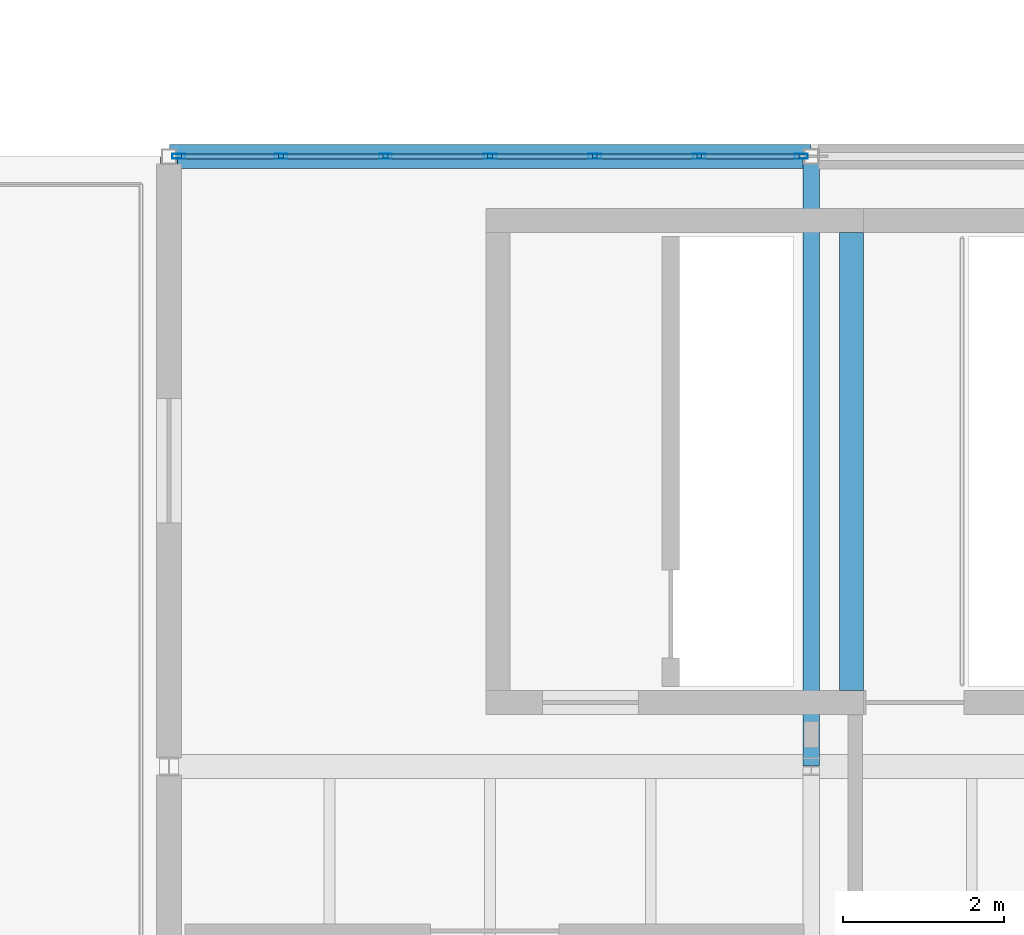
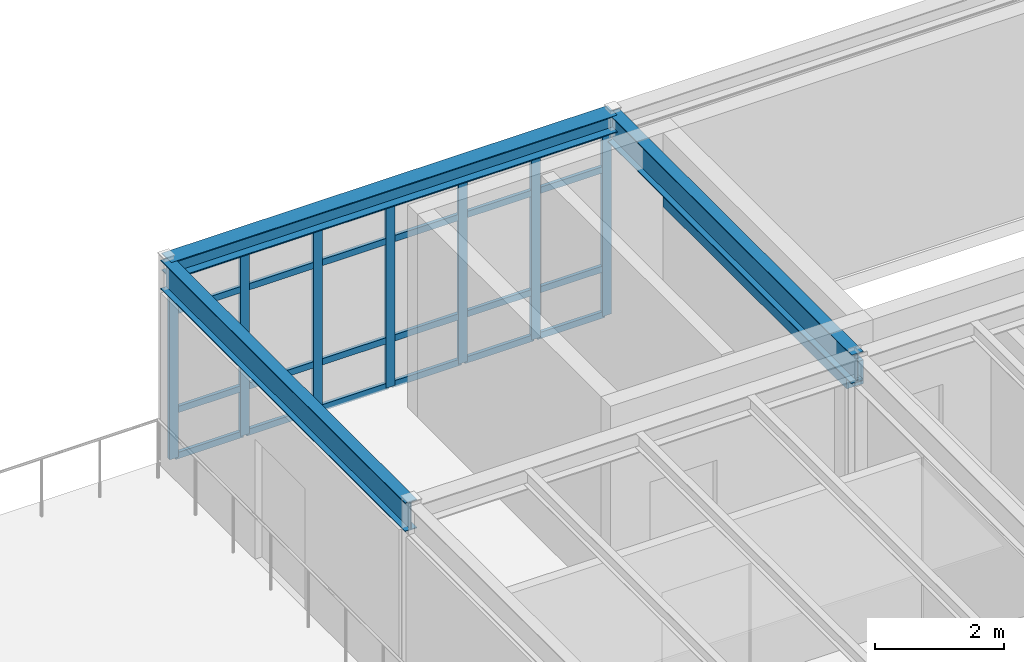
# One storey, part 35 of 65: 31 members, 4 beams, 1 element without a shape of its own.
"""IFC4 building model written with IfcOpenShell, lengths in metres."""

from ifc_helpers import new_model, si_unit, direction, frame, origin, origin_2d, place, context, subcontext, project, spatial, rectangle, hollow_rectangle, i_section, extrude, material, layer, layer_set, material_profile, profile_set, type_object, element, aggregate, save


model = new_model("IFC4")

# Units and contexts
model_context = context("Model", 3, precision=1e-05, world=origin(), true_north=direction((0.0, 1.0)))
body_context = subcontext(model_context, "Body", "Model", "MODEL_VIEW")
ifc_project = project(units=[si_unit("LENGTHUNIT", "METRE"), si_unit("AREAUNIT", "SQUARE_METRE"), si_unit("VOLUMEUNIT", "CUBIC_METRE"), si_unit("PLANEANGLEUNIT", "RADIAN"), si_unit("MASSUNIT", "GRAM", prefix="KILO")], contexts=[model_context])

# Site, building, storey
site_placement = place(None, origin())
site = spatial("IfcSite", under=ifc_project, at=site_placement, CompositionType="ELEMENT")
building_placement = place(site_placement, origin())
building = spatial("IfcBuilding", under=site, at=building_placement, Name="Montecoro Central Library", CompositionType="ELEMENT")
storey_placement = place(building_placement, frame((0.0, 0.0, 17.340087890625)))
storey = spatial("IfcBuildingStorey", under=building, at=storey_placement, Name="L04", CompositionType="ELEMENT", Elevation=17.340087890625)

# Beams
ifc_material_1 = material(Name="Steel S355J2", Category="steel")
ifc_material_profile_1 = material_profile(ifc_material_1, i_section(OverallWidth=0.2099609375, OverallDepth=0.550048828125, WebThickness=0.010986328125, FlangeThickness=0.01708984375, at=origin_2d()), Name="IPE 550")
ifc_profile_set_1 = profile_set([ifc_material_profile_1], Name="Steel S355J2")
beam_type_1 = type_object("IfcBeamType", Name="BM-G-IPE550", PredefinedType="USERDEFINED", material=ifc_profile_set_1)
for number, where, z_axis, x_axis, name in (
    (1, (149.0, 35.405029296875, 3.5498046875), (0.0, 1.0, 0.0), (-1.0, 0.0, 0.0), "V6-L04-BY-19-EF"),
    (2, (157.0, 35.405029296875, 3.5498046875), (0.0, 1.0, 0.0), (-1.0, 0.0, 0.0), "V6-L04-BY-20-EF"),
):
    element("IfcBeam", number, at=place(storey_placement, frame(where, z_axis=z_axis, x_axis=x_axis)), inside=storey, type_object=beam_type_1, Name=name, ObjectType="GIRDER", PredefinedType="USERDEFINED", context=body_context, shape_type="SweptSolid", body=[
        extrude(i_section(OverallWidth=0.2099609375, OverallDepth=0.550048828125, WebThickness=0.010986328125, FlangeThickness=0.01708984375, at=origin_2d()), origin(), (0.0, 0.0, 1.0), 7.590087890625),
    ])
ifc_material_2 = material(Name="Concrete C35/45", Category="concrete")
ifc_material_profile_2 = material_profile(ifc_material_2, rectangle(XDim=0.300048828125, YDim=0.449951171875, at=origin_2d()), Name="RC LNT 450x300")
ifc_profile_set_2 = profile_set([ifc_material_profile_2], Name="Concrete C35/45")
beam_type_2 = type_object("IfcBeamType", Name="BM-LN-RC02", PredefinedType="LINTEL", material=ifc_profile_set_2)
beam_1_placement = place(storey_placement, frame((157.5, 36.35009765625, 2.6748046875), z_axis=(0.0, 1.0, 0.0), x_axis=(-1.0, 0.0, 0.0)))
element("IfcBeam", 3, at=beam_1_placement, inside=storey, type_object=beam_type_2, Name="C7-L04-LNT", PredefinedType="LINTEL", context=body_context, shape_type="SweptSolid", body=[
    extrude(rectangle(XDim=0.300048828125, YDim=0.449951171875, at=origin_2d()), origin(), (0.0, 0.0, 1.0), 5.699951171875),
])
ifc_material_3 = material(Name="Steel S355", Category="steel")
ifc_material_profile_3 = material_profile(ifc_material_3, i_section(OverallWidth=0.300048828125, OverallDepth=0.330078125, WebThickness=0.009521484375, FlangeThickness=0.0166015625, at=origin_2d()), Name="HEA 340")
ifc_profile_set_3 = profile_set([ifc_material_profile_3], Name="Steel S355")
beam_type_3 = type_object("IfcBeamType", Name="BM-SP-HEA340", PredefinedType="SPANDREL", material=ifc_profile_set_3)
beam_2_placement = place(storey_placement, frame((149.0048828125, 43.0, 3.659912109375), z_axis=(1.0, 0.0, 0.0), x_axis=(0.0, 1.0, 0.0)))
element("IfcBeam", 4, at=beam_2_placement, inside=storey, type_object=beam_type_3, Name="V6-L04-BX-1920-F", PredefinedType="SPANDREL", context=body_context, shape_type="SweptSolid", body=[
    extrude(i_section(OverallWidth=0.300048828125, OverallDepth=0.330078125, WebThickness=0.009521484375, FlangeThickness=0.0166015625, at=origin_2d()), origin(), (0.0, 0.0, 1.0), 7.990234375),
])

# Curtain wall, members
ifc_material_4 = material(Name="Bronze-anodised aluminium and low-E glazing", Category="aluminium")
ifc_layer = layer(ifc_material_4, 0.159912109375)
ifc_layer_set = layer_set([ifc_layer], Name="Bronze-anodised aluminium and low-E glazing")
curtain_wall_type = type_object("IfcCurtainWallType", Name="CWT-074", PredefinedType="NOTDEFINED", material=ifc_layer_set)
curtain_wall_placement = place(storey_placement, origin())
curtain_wall = element("IfcCurtainWall", 5, at=curtain_wall_placement, inside=storey, type_object=curtain_wall_type, Name="V6-L04-CW-N0", PredefinedType="NOTDEFINED")
ifc_material_5 = material(Name="Bronze-anodised aluminium", Category="aluminium")
ifc_material_profile_4 = material_profile(ifc_material_5, hollow_rectangle(XDim=0.06005859375, YDim=0.159912109375, WallThickness=0.00390625, at=origin_2d()), Name="CWM 160x60x4.0")
ifc_profile_set_4 = profile_set([ifc_material_profile_4], Name="Bronze-anodised aluminium")
member_type_1 = type_object("IfcMemberType", Name="CWM-BRZ-60", PredefinedType="MULLION", material=ifc_profile_set_4)
member_1_placement = place(storey_placement, frame((156.876953125, 43.0, 0.0), z_axis=(0.0, 0.0, 1.0), x_axis=(0.0, -1.0, 0.0)))
member_1 = element("IfcMember", 6, at=member_1_placement, type_object=member_type_1, Name="CW-074 mullion 1", PredefinedType="MULLION", context=body_context, shape_type="SweptSolid", body=[
    extrude(hollow_rectangle(XDim=0.06005859375, YDim=0.159912109375, WallThickness=0.00390625, at=origin_2d()), origin(), (0.0, 0.0, 1.0), 3.47998046875),
])
member_2_placement = place(storey_placement, frame((155.604736328125, 43.0, 0.0), z_axis=(0.0, 0.0, 1.0), x_axis=(0.0, -1.0, 0.0)))
member_2 = element("IfcMember", 7, at=member_2_placement, type_object=member_type_1, Name="CW-074 mullion 2", PredefinedType="MULLION", context=body_context, shape_type="SweptSolid", body=[
    extrude(hollow_rectangle(XDim=0.06005859375, YDim=0.159912109375, WallThickness=0.00390625, at=origin_2d()), origin(), (0.0, 0.0, 1.0), 3.47998046875),
])
member_3_placement = place(storey_placement, frame((154.30224609375, 43.0, 0.0), z_axis=(0.0, 0.0, 1.0), x_axis=(0.0, -1.0, 0.0)))
member_3 = element("IfcMember", 8, at=member_3_placement, type_object=member_type_1, Name="CW-074 mullion 3", PredefinedType="MULLION", context=body_context, shape_type="SweptSolid", body=[
    extrude(hollow_rectangle(XDim=0.06005859375, YDim=0.159912109375, WallThickness=0.00390625, at=origin_2d()), origin(), (0.0, 0.0, 1.0), 3.47998046875),
])
member_4_placement = place(storey_placement, frame((153.0, 43.0, 0.0), z_axis=(0.0, 0.0, 1.0), x_axis=(0.0, -1.0, 0.0)))
member_4 = element("IfcMember", 9, at=member_4_placement, type_object=member_type_1, Name="CW-074 mullion 4", PredefinedType="MULLION", context=body_context, shape_type="SweptSolid", body=[
    extrude(hollow_rectangle(XDim=0.06005859375, YDim=0.159912109375, WallThickness=0.00390625, at=origin_2d()), origin(), (0.0, 0.0, 1.0), 3.47998046875),
])
member_5_placement = place(storey_placement, frame((151.69775390625, 43.0, 0.0), z_axis=(0.0, 0.0, 1.0), x_axis=(0.0, -1.0, 0.0)))
member_5 = element("IfcMember", 10, at=member_5_placement, type_object=member_type_1, Name="CW-074 mullion 5", PredefinedType="MULLION", context=body_context, shape_type="SweptSolid", body=[
    extrude(hollow_rectangle(XDim=0.06005859375, YDim=0.159912109375, WallThickness=0.00390625, at=origin_2d()), origin(), (0.0, 0.0, 1.0), 3.47998046875),
])
member_6_placement = place(storey_placement, frame((150.395263671875, 43.0, 0.0), z_axis=(0.0, 0.0, 1.0), x_axis=(0.0, -1.0, 0.0)))
member_6 = element("IfcMember", 11, at=member_6_placement, type_object=member_type_1, Name="CW-074 mullion 6", PredefinedType="MULLION", context=body_context, shape_type="SweptSolid", body=[
    extrude(hollow_rectangle(XDim=0.06005859375, YDim=0.159912109375, WallThickness=0.00390625, at=origin_2d()), origin(), (0.0, 0.0, 1.0), 3.47998046875),
])
member_7_placement = place(storey_placement, frame((149.123046875, 43.0, 0.0), z_axis=(0.0, 0.0, 1.0), x_axis=(0.0, -1.0, 0.0)))
member_7 = element("IfcMember", 12, at=member_7_placement, type_object=member_type_1, Name="CW-074 mullion 7", PredefinedType="MULLION", context=body_context, shape_type="SweptSolid", body=[
    extrude(hollow_rectangle(XDim=0.06005859375, YDim=0.159912109375, WallThickness=0.00390625, at=origin_2d()), origin(), (0.0, 0.0, 1.0), 3.47998046875),
])
ifc_material_profile_5 = material_profile(ifc_material_5, hollow_rectangle(XDim=0.06005859375, YDim=0.1201171875, WallThickness=0.00390625, at=origin_2d()), Name="CWT 120x60x4.0")
ifc_profile_set_5 = profile_set([ifc_material_profile_5], Name="Bronze-anodised aluminium")
member_type_2 = type_object("IfcMemberType", Name="CWT-BRZ-60", PredefinedType="USERDEFINED", material=ifc_profile_set_5)
member_8_placement = place(storey_placement, frame((156.846923828125, 43.0, 0.030029296875), z_axis=(-1.0, 0.0, 0.0), x_axis=(0.0, -1.0, 0.0)))
member_8 = element("IfcMember", 13, at=member_8_placement, type_object=member_type_2, Name="CW-074 transom 1.1", ObjectType="TRANSOM", PredefinedType="USERDEFINED", context=body_context, shape_type="SweptSolid", body=[
    extrude(hollow_rectangle(XDim=0.06005859375, YDim=0.1201171875, WallThickness=0.00390625, at=origin_2d()), origin(), (0.0, 0.0, 1.0), 1.212158203125),
])
member_9_placement = place(storey_placement, frame((156.846923828125, 43.0, 0.89990234375), z_axis=(-1.0, 0.0, 0.0), x_axis=(0.0, -1.0, 0.0)))
member_9 = element("IfcMember", 14, at=member_9_placement, type_object=member_type_2, Name="CW-074 transom 1.2", ObjectType="TRANSOM", PredefinedType="USERDEFINED", context=body_context, shape_type="SweptSolid", body=[
    extrude(hollow_rectangle(XDim=0.06005859375, YDim=0.1201171875, WallThickness=0.00390625, at=origin_2d()), origin(), (0.0, 0.0, 1.0), 1.212158203125),
])
member_10_placement = place(storey_placement, frame((156.846923828125, 43.0, 2.780029296875), z_axis=(-1.0, 0.0, 0.0), x_axis=(0.0, -1.0, 0.0)))
member_10 = element("IfcMember", 15, at=member_10_placement, type_object=member_type_2, Name="CW-074 transom 1.3", ObjectType="TRANSOM", PredefinedType="USERDEFINED", context=body_context, shape_type="SweptSolid", body=[
    extrude(hollow_rectangle(XDim=0.06005859375, YDim=0.1201171875, WallThickness=0.00390625, at=origin_2d()), origin(), (0.0, 0.0, 1.0), 1.212158203125),
])
member_11_placement = place(storey_placement, frame((156.846923828125, 43.0, 3.449951171875), z_axis=(-1.0, 0.0, 0.0), x_axis=(0.0, -1.0, 0.0)))
member_11 = element("IfcMember", 16, at=member_11_placement, type_object=member_type_2, Name="CW-074 transom 1.4", ObjectType="TRANSOM", PredefinedType="USERDEFINED", context=body_context, shape_type="SweptSolid", body=[
    extrude(hollow_rectangle(XDim=0.06005859375, YDim=0.1201171875, WallThickness=0.00390625, at=origin_2d()), origin(), (0.0, 0.0, 1.0), 1.212158203125),
])
member_12_placement = place(storey_placement, frame((155.57470703125, 43.0, 0.030029296875), z_axis=(-1.0, 0.0, 0.0), x_axis=(0.0, -1.0, 0.0)))
member_12 = element("IfcMember", 17, at=member_12_placement, type_object=member_type_2, Name="CW-074 transom 2.1", ObjectType="TRANSOM", PredefinedType="USERDEFINED", context=body_context, shape_type="SweptSolid", body=[
    extrude(hollow_rectangle(XDim=0.06005859375, YDim=0.1201171875, WallThickness=0.00390625, at=origin_2d()), origin(), (0.0, 0.0, 1.0), 1.242431640625),
])
member_13_placement = place(storey_placement, frame((155.57470703125, 43.0, 0.89990234375), z_axis=(-1.0, 0.0, 0.0), x_axis=(0.0, -1.0, 0.0)))
member_13 = element("IfcMember", 18, at=member_13_placement, type_object=member_type_2, Name="CW-074 transom 2.2", ObjectType="TRANSOM", PredefinedType="USERDEFINED", context=body_context, shape_type="SweptSolid", body=[
    extrude(hollow_rectangle(XDim=0.06005859375, YDim=0.1201171875, WallThickness=0.00390625, at=origin_2d()), origin(), (0.0, 0.0, 1.0), 1.242431640625),
])
member_14_placement = place(storey_placement, frame((155.57470703125, 43.0, 2.780029296875), z_axis=(-1.0, 0.0, 0.0), x_axis=(0.0, -1.0, 0.0)))
member_14 = element("IfcMember", 19, at=member_14_placement, type_object=member_type_2, Name="CW-074 transom 2.3", ObjectType="TRANSOM", PredefinedType="USERDEFINED", context=body_context, shape_type="SweptSolid", body=[
    extrude(hollow_rectangle(XDim=0.06005859375, YDim=0.1201171875, WallThickness=0.00390625, at=origin_2d()), origin(), (0.0, 0.0, 1.0), 1.242431640625),
])
member_15_placement = place(storey_placement, frame((155.57470703125, 43.0, 3.449951171875), z_axis=(-1.0, 0.0, 0.0), x_axis=(0.0, -1.0, 0.0)))
member_15 = element("IfcMember", 20, at=member_15_placement, type_object=member_type_2, Name="CW-074 transom 2.4", ObjectType="TRANSOM", PredefinedType="USERDEFINED", context=body_context, shape_type="SweptSolid", body=[
    extrude(hollow_rectangle(XDim=0.06005859375, YDim=0.1201171875, WallThickness=0.00390625, at=origin_2d()), origin(), (0.0, 0.0, 1.0), 1.242431640625),
])
member_16_placement = place(storey_placement, frame((154.272216796875, 43.0, 0.030029296875), z_axis=(-1.0, 0.0, 0.0), x_axis=(0.0, -1.0, 0.0)))
member_16 = element("IfcMember", 21, at=member_16_placement, type_object=member_type_2, Name="CW-074 transom 3.1", ObjectType="TRANSOM", PredefinedType="USERDEFINED", context=body_context, shape_type="SweptSolid", body=[
    extrude(hollow_rectangle(XDim=0.06005859375, YDim=0.1201171875, WallThickness=0.00390625, at=origin_2d()), origin(), (0.0, 0.0, 1.0), 1.2421875),
])
member_17_placement = place(storey_placement, frame((154.272216796875, 43.0, 0.89990234375), z_axis=(-1.0, 0.0, 0.0), x_axis=(0.0, -1.0, 0.0)))
member_17 = element("IfcMember", 22, at=member_17_placement, type_object=member_type_2, Name="CW-074 transom 3.2", ObjectType="TRANSOM", PredefinedType="USERDEFINED", context=body_context, shape_type="SweptSolid", body=[
    extrude(hollow_rectangle(XDim=0.06005859375, YDim=0.1201171875, WallThickness=0.00390625, at=origin_2d()), origin(), (0.0, 0.0, 1.0), 1.2421875),
])
member_18_placement = place(storey_placement, frame((154.272216796875, 43.0, 2.780029296875), z_axis=(-1.0, 0.0, 0.0), x_axis=(0.0, -1.0, 0.0)))
member_18 = element("IfcMember", 23, at=member_18_placement, type_object=member_type_2, Name="CW-074 transom 3.3", ObjectType="TRANSOM", PredefinedType="USERDEFINED", context=body_context, shape_type="SweptSolid", body=[
    extrude(hollow_rectangle(XDim=0.06005859375, YDim=0.1201171875, WallThickness=0.00390625, at=origin_2d()), origin(), (0.0, 0.0, 1.0), 1.2421875),
])
member_19_placement = place(storey_placement, frame((154.272216796875, 43.0, 3.449951171875), z_axis=(-1.0, 0.0, 0.0), x_axis=(0.0, -1.0, 0.0)))
member_19 = element("IfcMember", 24, at=member_19_placement, type_object=member_type_2, Name="CW-074 transom 3.4", ObjectType="TRANSOM", PredefinedType="USERDEFINED", context=body_context, shape_type="SweptSolid", body=[
    extrude(hollow_rectangle(XDim=0.06005859375, YDim=0.1201171875, WallThickness=0.00390625, at=origin_2d()), origin(), (0.0, 0.0, 1.0), 1.2421875),
])
member_20_placement = place(storey_placement, frame((152.969970703125, 43.0, 0.030029296875), z_axis=(-1.0, 0.0, 0.0), x_axis=(0.0, -1.0, 0.0)))
member_20 = element("IfcMember", 25, at=member_20_placement, type_object=member_type_2, Name="CW-074 transom 4.1", ObjectType="TRANSOM", PredefinedType="USERDEFINED", context=body_context, shape_type="SweptSolid", body=[
    extrude(hollow_rectangle(XDim=0.06005859375, YDim=0.1201171875, WallThickness=0.00390625, at=origin_2d()), origin(), (0.0, 0.0, 1.0), 1.2421875),
])
member_21_placement = place(storey_placement, frame((152.969970703125, 43.0, 0.89990234375), z_axis=(-1.0, 0.0, 0.0), x_axis=(0.0, -1.0, 0.0)))
member_21 = element("IfcMember", 26, at=member_21_placement, type_object=member_type_2, Name="CW-074 transom 4.2", ObjectType="TRANSOM", PredefinedType="USERDEFINED", context=body_context, shape_type="SweptSolid", body=[
    extrude(hollow_rectangle(XDim=0.06005859375, YDim=0.1201171875, WallThickness=0.00390625, at=origin_2d()), origin(), (0.0, 0.0, 1.0), 1.2421875),
])
member_22_placement = place(storey_placement, frame((152.969970703125, 43.0, 2.780029296875), z_axis=(-1.0, 0.0, 0.0), x_axis=(0.0, -1.0, 0.0)))
member_22 = element("IfcMember", 27, at=member_22_placement, type_object=member_type_2, Name="CW-074 transom 4.3", ObjectType="TRANSOM", PredefinedType="USERDEFINED", context=body_context, shape_type="SweptSolid", body=[
    extrude(hollow_rectangle(XDim=0.06005859375, YDim=0.1201171875, WallThickness=0.00390625, at=origin_2d()), origin(), (0.0, 0.0, 1.0), 1.2421875),
])
member_23_placement = place(storey_placement, frame((152.969970703125, 43.0, 3.449951171875), z_axis=(-1.0, 0.0, 0.0), x_axis=(0.0, -1.0, 0.0)))
member_23 = element("IfcMember", 28, at=member_23_placement, type_object=member_type_2, Name="CW-074 transom 4.4", ObjectType="TRANSOM", PredefinedType="USERDEFINED", context=body_context, shape_type="SweptSolid", body=[
    extrude(hollow_rectangle(XDim=0.06005859375, YDim=0.1201171875, WallThickness=0.00390625, at=origin_2d()), origin(), (0.0, 0.0, 1.0), 1.2421875),
])
member_24_placement = place(storey_placement, frame((151.667724609375, 43.0, 0.030029296875), z_axis=(-1.0, 0.0, 0.0), x_axis=(0.0, -1.0, 0.0)))
member_24 = element("IfcMember", 29, at=member_24_placement, type_object=member_type_2, Name="CW-074 transom 5.1", ObjectType="TRANSOM", PredefinedType="USERDEFINED", context=body_context, shape_type="SweptSolid", body=[
    extrude(hollow_rectangle(XDim=0.06005859375, YDim=0.1201171875, WallThickness=0.00390625, at=origin_2d()), origin(), (0.0, 0.0, 1.0), 1.242431640625),
])
member_25_placement = place(storey_placement, frame((151.667724609375, 43.0, 0.89990234375), z_axis=(-1.0, 0.0, 0.0), x_axis=(0.0, -1.0, 0.0)))
member_25 = element("IfcMember", 30, at=member_25_placement, type_object=member_type_2, Name="CW-074 transom 5.2", ObjectType="TRANSOM", PredefinedType="USERDEFINED", context=body_context, shape_type="SweptSolid", body=[
    extrude(hollow_rectangle(XDim=0.06005859375, YDim=0.1201171875, WallThickness=0.00390625, at=origin_2d()), origin(), (0.0, 0.0, 1.0), 1.242431640625),
])
member_26_placement = place(storey_placement, frame((151.667724609375, 43.0, 2.780029296875), z_axis=(-1.0, 0.0, 0.0), x_axis=(0.0, -1.0, 0.0)))
member_26 = element("IfcMember", 31, at=member_26_placement, type_object=member_type_2, Name="CW-074 transom 5.3", ObjectType="TRANSOM", PredefinedType="USERDEFINED", context=body_context, shape_type="SweptSolid", body=[
    extrude(hollow_rectangle(XDim=0.06005859375, YDim=0.1201171875, WallThickness=0.00390625, at=origin_2d()), origin(), (0.0, 0.0, 1.0), 1.242431640625),
])
member_27_placement = place(storey_placement, frame((151.667724609375, 43.0, 3.449951171875), z_axis=(-1.0, 0.0, 0.0), x_axis=(0.0, -1.0, 0.0)))
member_27 = element("IfcMember", 32, at=member_27_placement, type_object=member_type_2, Name="CW-074 transom 5.4", ObjectType="TRANSOM", PredefinedType="USERDEFINED", context=body_context, shape_type="SweptSolid", body=[
    extrude(hollow_rectangle(XDim=0.06005859375, YDim=0.1201171875, WallThickness=0.00390625, at=origin_2d()), origin(), (0.0, 0.0, 1.0), 1.242431640625),
])
member_28_placement = place(storey_placement, frame((150.365234375, 43.0, 0.030029296875), z_axis=(-1.0, 0.0, 0.0), x_axis=(0.0, -1.0, 0.0)))
member_28 = element("IfcMember", 33, at=member_28_placement, type_object=member_type_2, Name="CW-074 transom 6.1", ObjectType="TRANSOM", PredefinedType="USERDEFINED", context=body_context, shape_type="SweptSolid", body=[
    extrude(hollow_rectangle(XDim=0.06005859375, YDim=0.1201171875, WallThickness=0.00390625, at=origin_2d()), origin(), (0.0, 0.0, 1.0), 1.212158203125),
])
member_29_placement = place(storey_placement, frame((150.365234375, 43.0, 0.89990234375), z_axis=(-1.0, 0.0, 0.0), x_axis=(0.0, -1.0, 0.0)))
member_29 = element("IfcMember", 34, at=member_29_placement, type_object=member_type_2, Name="CW-074 transom 6.2", ObjectType="TRANSOM", PredefinedType="USERDEFINED", context=body_context, shape_type="SweptSolid", body=[
    extrude(hollow_rectangle(XDim=0.06005859375, YDim=0.1201171875, WallThickness=0.00390625, at=origin_2d()), origin(), (0.0, 0.0, 1.0), 1.212158203125),
])
member_30_placement = place(storey_placement, frame((150.365234375, 43.0, 2.780029296875), z_axis=(-1.0, 0.0, 0.0), x_axis=(0.0, -1.0, 0.0)))
member_30 = element("IfcMember", 35, at=member_30_placement, type_object=member_type_2, Name="CW-074 transom 6.3", ObjectType="TRANSOM", PredefinedType="USERDEFINED", context=body_context, shape_type="SweptSolid", body=[
    extrude(hollow_rectangle(XDim=0.06005859375, YDim=0.1201171875, WallThickness=0.00390625, at=origin_2d()), origin(), (0.0, 0.0, 1.0), 1.212158203125),
])
member_31_placement = place(storey_placement, frame((150.365234375, 43.0, 3.449951171875), z_axis=(-1.0, 0.0, 0.0), x_axis=(0.0, -1.0, 0.0)))
member_31 = element("IfcMember", 36, at=member_31_placement, type_object=member_type_2, Name="CW-074 transom 6.4", ObjectType="TRANSOM", PredefinedType="USERDEFINED", context=body_context, shape_type="SweptSolid", body=[
    extrude(hollow_rectangle(XDim=0.06005859375, YDim=0.1201171875, WallThickness=0.00390625, at=origin_2d()), origin(), (0.0, 0.0, 1.0), 1.212158203125),
])
aggregate(curtain_wall, [member_1, member_2, member_3, member_4, member_5, member_6, member_7, member_8, member_9, member_10, member_11, member_12, member_13, member_14, member_15, member_16, member_17, member_18, member_19, member_20, member_21, member_22, member_23, member_24, member_25, member_26, member_27, member_28, member_29, member_30, member_31])

save(model, "model.ifc")
